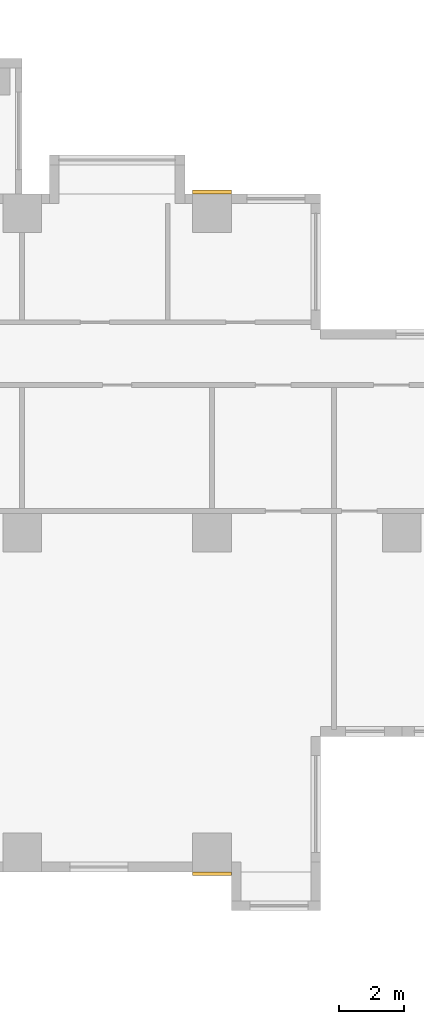
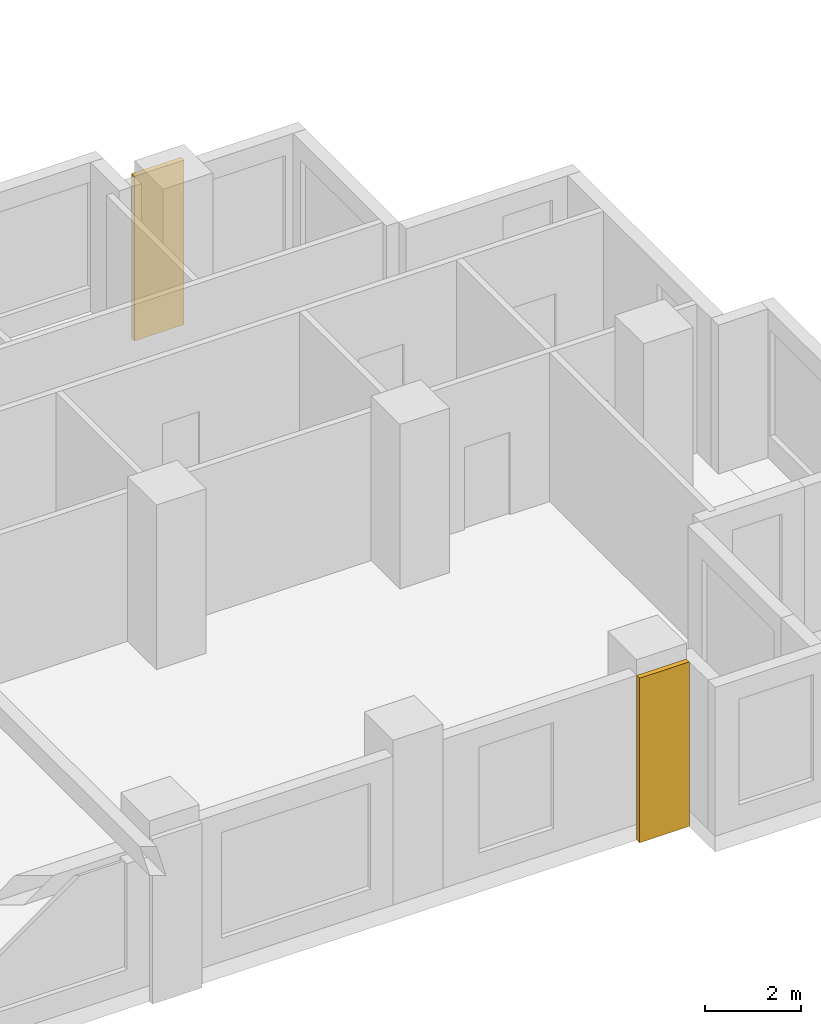
# One storey, part 14 of 14: 2 coverings.
"""IFC4 building model written with IfcOpenShell, lengths in metres."""

from ifc_helpers import new_model, si_unit, direction, frame, origin, origin_2d, place, context, subcontext, project, spatial, rectangle, extrude, source, transform, mapped, material, type_object, element, save


model = new_model("IFC4")

# Units and contexts
model_context = context("Model", 3, precision=1e-05, world=origin(), true_north=direction((0.0, 1.0)))
body_context = subcontext(model_context, "Body", "Model", "MODEL_VIEW")
ifc_project = project(units=[si_unit("LENGTHUNIT", "METRE"), si_unit("AREAUNIT", "SQUARE_METRE"), si_unit("VOLUMEUNIT", "CUBIC_METRE"), si_unit("PLANEANGLEUNIT", "RADIAN"), si_unit("MASSUNIT", "GRAM", prefix="KILO")], contexts=[model_context])

# Site, building, storey
site_placement = place(None, origin())
site = spatial("IfcSite", under=ifc_project, at=site_placement, CompositionType="ELEMENT")
building_placement = place(site_placement, origin())
building = spatial("IfcBuilding", under=site, at=building_placement, Name="Aurelian Terraces", CompositionType="ELEMENT")
storey_placement = place(building_placement, frame((0.0, 0.0, 53.1)))
storey = spatial("IfcBuildingStorey", under=building, at=storey_placement, Name="L10", CompositionType="ELEMENT", Elevation=53.1)

# Coverings
ifc_material = material(Name="Terracotta rainscreen cladding relief", Category="masonry")
covering_type = type_object("IfcCoveringType", Name="BAGUETTE-TC", PredefinedType="CLADDING", material=ifc_material)
shared_shape = source(origin(), body_context, "Body", "SweptSolid", [
    extrude(rectangle(XDim=1.2, YDim=0.12, at=origin_2d()), origin(), (0.0, 0.0, 1.0), 4.2),
])
for number, where, z_axis, x_axis, name in (
    (1, (63.84, -0.06, -0.4), (0.0, 0.0, 1.0), (1.0, 0.0, 0.0), "BAGUETTE pier L10 4"),
    (2, (63.84, 21.06, -0.4), (0.0, 0.0, 1.0), (1.0, 0.0, 0.0), "BAGUETTE pier L10 7"),
):
    element("IfcCovering", number, at=place(storey_placement, frame(where, z_axis=z_axis, x_axis=x_axis)), inside=storey, type_object=covering_type, Name=name, PredefinedType="CLADDING", context=body_context, shape_type="MappedRepresentation", body=[
        mapped(shared_shape, transform((0.0, 0.0, 0.0), scale=1.0)),
    ])

save(model, "model.ifc")
